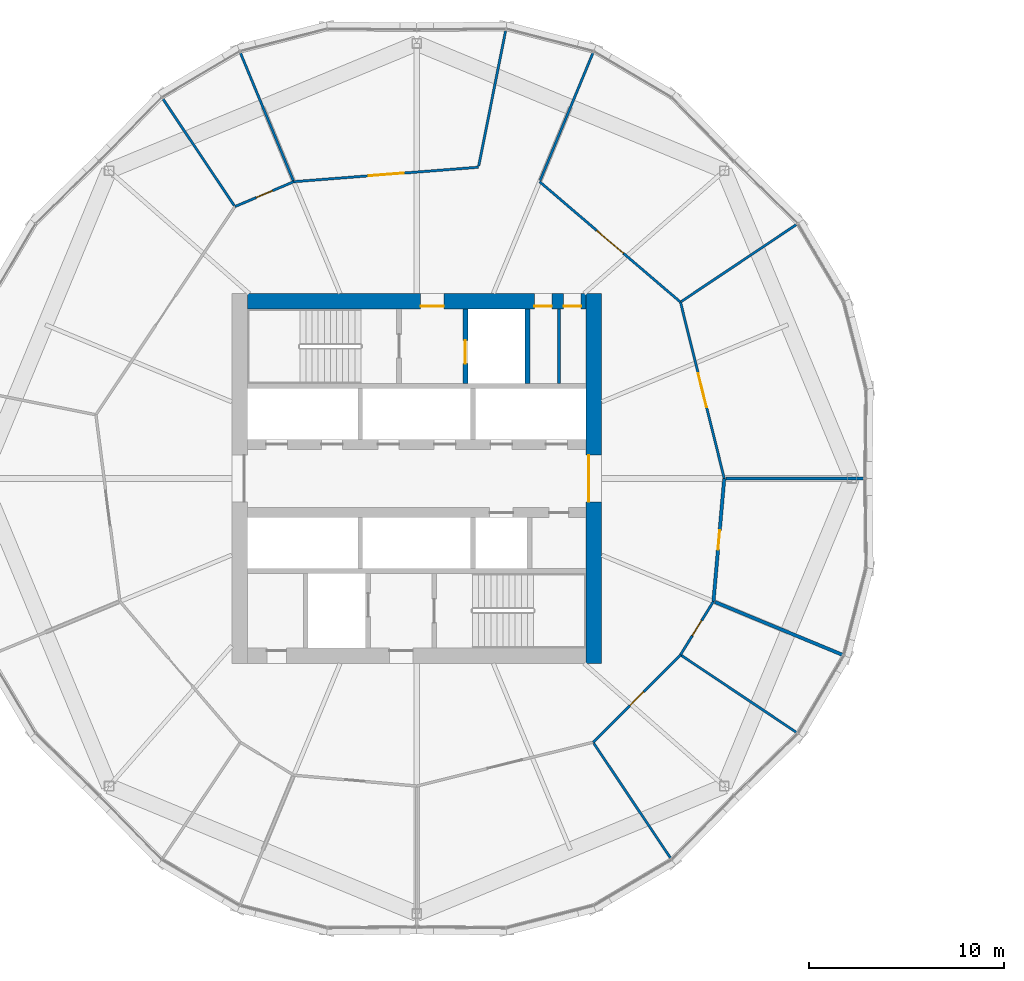
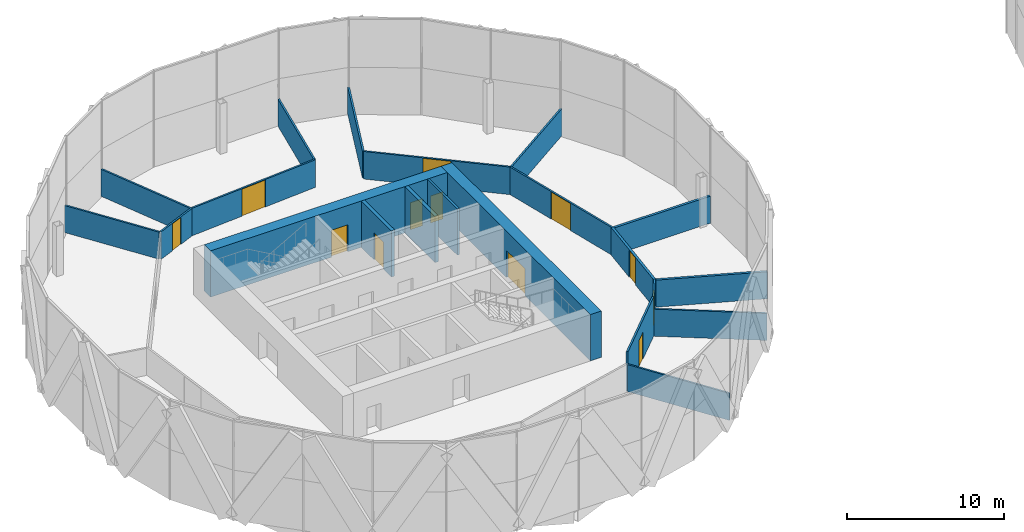
# One storey, part 20 of 27: 21 walls, 12 doors, 12 openings.
"""IFC4 building model written with IfcOpenShell, lengths in metres."""

from ifc_helpers import new_model, si_unit, direction, frame, frame_2d, origin, place, context, subcontext, project, spatial, rectangle, extrude, material, layer, layer_set, type_object, element, fill, save


model = new_model("IFC4")

# Units and contexts
model_context = context("Model", 3, precision=1e-05, world=origin(), true_north=direction((0.0, 1.0)))
body_context = subcontext(model_context, "Body", "Model", "MODEL_VIEW")
ifc_project = project(units=[si_unit("LENGTHUNIT", "METRE"), si_unit("AREAUNIT", "SQUARE_METRE"), si_unit("VOLUMEUNIT", "CUBIC_METRE"), si_unit("PLANEANGLEUNIT", "RADIAN"), si_unit("MASSUNIT", "GRAM", prefix="KILO")], contexts=[model_context])

# Site, building, storey
site_placement = place(None, origin())
site = spatial("IfcSite", under=ifc_project, at=site_placement, CompositionType="ELEMENT")
building_placement = place(site_placement, origin())
building = spatial("IfcBuilding", under=site, at=building_placement, Name="Ogive Gate Towers", CompositionType="ELEMENT")
storey_placement = place(building_placement, frame((0.0, 0.0, 123.0)))
storey = spatial("IfcBuildingStorey", under=building, at=storey_placement, Name="L29", CompositionType="ELEMENT", Elevation=123.0)

# Walls
ifc_material_1 = material(Name="Gypsum board acoustic partition")
ifc_layer_1 = layer(ifc_material_1, 0.175048828125)
ifc_layer_set_1 = layer_set([ifc_layer_1], Name="Acoustic partition 175")
wall_type_1 = type_object("IfcWallType", Name="Acoustic partition 175", PredefinedType="PARTITIONING", material=ifc_layer_set_1)
wall_1_placement = place(storey_placement, frame((-13.051025390625, 0.0, 0.0), z_axis=(0.0, 0.0, 1.0), x_axis=(-1.0, 0.0, 0.0)))
element("IfcWall", 1, at=wall_1_placement, inside=storey, type_object=wall_type_1, Name="Partition T1-L29-001", PredefinedType="PARTITIONING", context=body_context, shape_type="SweptSolid", body=[
    extrude(rectangle(XDim=7.0615234375, YDim=0.175048828125, at=frame_2d((3.53076171875, 0.0))), origin(), (0.0, 0.0, 1.0), 2.10009765625),
])
wall_2_placement = place(storey_placement, frame((-14.07421875, -9.081787109375, 0.0), z_axis=(0.0, 0.0, 1.0), x_axis=(-0.923889795791, 0.382658653676, 0.0)))
element("IfcWall", 2, at=wall_2_placement, inside=storey, type_object=wall_type_1, Name="Partition T1-L29-014", PredefinedType="PARTITIONING", context=body_context, shape_type="SweptSolid", body=[
    extrude(rectangle(XDim=7.143798828125, YDim=0.175048828125, at=frame_2d((3.57177734375, 0.0))), origin(), (0.0, 0.0, 1.0), 2.10009765625),
])

# Wall, opening, door
wall_3_placement = place(storey_placement, frame((-20.7548828125, -6.314697265625, 0.0), z_axis=(0.0, 0.0, 1.0), x_axis=(0.087541989851, 0.996160830395, 0.0)))
wall_3 = element("IfcWall", 3, at=wall_3_placement, inside=storey, type_object=wall_type_1, Name="Partition T1-L29-025", PredefinedType="PARTITIONING", context=body_context, shape_type="SweptSolid", body=[
    extrude(rectangle(XDim=6.339111328125, YDim=0.175048828125, at=frame_2d((3.16943359375, 0.0))), origin(), (0.0, 0.0, 1.0), 2.139892578125),
])
opening_1_placement = place(wall_3_placement, frame((2.6689453125, 0.0, 0.0)))
opening_1 = element("IfcOpeningElement", 4, at=opening_1_placement, cuts=wall_3, Name="Opening T1-L29-D11", PredefinedType="OPENING", context=body_context, shape_type="SweptSolid", body=[
    extrude(rectangle(XDim=1.0, YDim=2.10009765625, at=frame_2d((0.5, 1.050048828125))), frame((0.0, 0.09765625, 0.0), z_axis=(0.0, -1.0, 0.0), x_axis=(1.0, 0.0, 0.0)), (0.0, 0.0, 1.0), 0.195068359375),
])
ifc_material_2 = material(Name="Timber door", Category="wood")
door_type_1 = type_object("IfcDoorType", Name="Door 1000", OperationType="NOTDEFINED", PredefinedType="DOOR", material=ifc_material_2)
door_1_placement = place(opening_1_placement, origin())
door_1 = element("IfcDoor", 5, at=door_1_placement, inside=storey, type_object=door_type_1, Name="Door T1-L29-D11", OperationType="SINGLE_SWING_LEFT", OverallHeight=2.10009765625, OverallWidth=1.0, PredefinedType="DOOR", context=body_context, shape_type="SweptSolid", body=[
    extrude(rectangle(XDim=1.0, YDim=2.10009765625, at=frame_2d((0.5, 1.050048828125))), frame((0.0, 0.02490234375, 0.0), z_axis=(0.0, -1.0, 0.0), x_axis=(1.0, 0.0, 0.0)), (0.0, 0.0, 1.0), 0.050048828125),
])
fill(opening_1, door_1)

# Wall, openings, doors
ifc_material_3 = material(Name="Concrete C60/75", Category="concrete")
ifc_layer_2 = layer(ifc_material_3, 0.800048828125)
ifc_layer_set_2 = layer_set([ifc_layer_2], Name="Core wall 800 mm")
wall_type_2 = type_object("IfcWallType", Name="Core wall 800 mm", PredefinedType="SHEAR", material=ifc_layer_set_2)
wall_4_placement = place(storey_placement, frame((-44.699951171875, 9.10009765625, 0.0), z_axis=(0.0, 0.0, 1.0), x_axis=(1.0, 0.0, 0.0)))
wall_4 = element("IfcWall", 6, at=wall_4_placement, inside=storey, type_object=wall_type_2, Name="T1 L29 Core wall 800 mm", PredefinedType="SHEAR", context=body_context, shape_type="SweptSolid", body=[
    extrude(rectangle(XDim=17.39990234375, YDim=0.800048828125, at=frame_2d((8.699951171875, 0.0))), origin(), (0.0, 0.0, 1.0), 3.60009765625),
])
opening_2_placement = place(wall_4_placement, frame((8.89990234375, 0.0, 0.0)))
opening_2 = element("IfcOpeningElement", 7, at=opening_2_placement, cuts=wall_4, Name="Opening KD-T1-L29-15", PredefinedType="OPENING", context=body_context, shape_type="SweptSolid", body=[
    extrude(rectangle(XDim=1.199951171875, YDim=2.10009765625, at=frame_2d((0.60009765625, 1.050048828125))), frame((0.0, 0.41015625, 0.0), z_axis=(0.0, -1.0, 0.0), x_axis=(1.0, 0.0, 0.0)), (0.0, 0.0, 1.0), 0.820068359375),
])
opening_3_placement = place(wall_4_placement, frame((14.75, 0.0, 0.0)))
opening_3 = element("IfcOpeningElement", 8, at=opening_3_placement, cuts=wall_4, Name="Opening KD-T1-L29-17", PredefinedType="OPENING", context=body_context, shape_type="SweptSolid", body=[
    extrude(rectangle(XDim=0.89990234375, YDim=2.10009765625, at=frame_2d((0.449951171875, 1.050048828125))), frame((0.0, 0.41015625, 0.0), z_axis=(0.0, -1.0, 0.0), x_axis=(1.0, 0.0, 0.0)), (0.0, 0.0, 1.0), 0.820068359375),
])
opening_4_placement = place(wall_4_placement, frame((16.25, 0.0, 0.0)))
opening_4 = element("IfcOpeningElement", 9, at=opening_4_placement, cuts=wall_4, Name="Opening KD-T1-L29-18", PredefinedType="OPENING", context=body_context, shape_type="SweptSolid", body=[
    extrude(rectangle(XDim=0.89990234375, YDim=2.10009765625, at=frame_2d((0.449951171875, 1.050048828125))), frame((0.0, 0.41015625, 0.0), z_axis=(0.0, -1.0, 0.0), x_axis=(1.0, 0.0, 0.0)), (0.0, 0.0, 1.0), 0.820068359375),
])
door_type_2 = type_object("IfcDoorType", Name="Core WC door 900 x 2100", OperationType="NOTDEFINED", PredefinedType="DOOR", material=ifc_material_2)
door_2_placement = place(opening_3_placement, origin())
door_2 = element("IfcDoor", 10, at=door_2_placement, inside=storey, type_object=door_type_2, Name="T1 L29 Core door", OperationType="SINGLE_SWING_RIGHT", OverallHeight=2.10009765625, OverallWidth=0.89990234375, PredefinedType="DOOR", context=body_context, shape_type="SweptSolid", body=[
    extrude(rectangle(XDim=0.89990234375, YDim=2.10009765625, at=frame_2d((0.449951171875, 1.050048828125))), frame((0.0, -0.22509765625, 0.0), z_axis=(0.0, -1.0, 0.0), x_axis=(1.0, 0.0, 0.0)), (0.0, 0.0, 1.0), 0.050048828125),
])
fill(opening_3, door_2)
door_3_placement = place(opening_4_placement, origin())
door_3 = element("IfcDoor", 11, at=door_3_placement, inside=storey, type_object=door_type_2, Name="T1 L29 Core door", OperationType="SINGLE_SWING_LEFT", OverallHeight=2.10009765625, OverallWidth=0.89990234375, PredefinedType="DOOR", context=body_context, shape_type="SweptSolid", body=[
    extrude(rectangle(XDim=0.89990234375, YDim=2.10009765625, at=frame_2d((0.449951171875, 1.050048828125))), frame((0.0, -0.22509765625, 0.0), z_axis=(0.0, -1.0, 0.0), x_axis=(1.0, 0.0, 0.0)), (0.0, 0.0, 1.0), 0.050048828125),
])
fill(opening_4, door_3)
ifc_material_4 = material(Name="Steel fire door", Category="steel")
door_type_3 = type_object("IfcDoorType", Name="Core door FD60S 1200 x 2100", OperationType="NOTDEFINED", PredefinedType="DOOR", material=ifc_material_4)
door_4_placement = place(opening_2_placement, origin())
door_4 = element("IfcDoor", 12, at=door_4_placement, inside=storey, type_object=door_type_3, Name="T1 L29 Fire-fighting lobby door", OperationType="SINGLE_SWING_RIGHT", OverallHeight=2.10009765625, OverallWidth=1.199951171875, PredefinedType="DOOR", context=body_context, shape_type="SweptSolid", body=[
    extrude(rectangle(XDim=1.199951171875, YDim=2.10009765625, at=frame_2d((0.60009765625, 1.050048828125))), frame((0.0, -0.22509765625, 0.0), z_axis=(0.0, -1.0, 0.0), x_axis=(1.0, 0.0, 0.0)), (0.0, 0.0, 1.0), 0.050048828125),
])
fill(opening_2, door_4)

# Wall, opening, door
wall_5_placement = place(storey_placement, frame((-26.89990234375, -9.5, 0.0), z_axis=(0.0, 0.0, 1.0), x_axis=(0.0, 1.0, 0.0)))
wall_5 = element("IfcWall", 13, at=wall_5_placement, inside=storey, type_object=wall_type_2, Name="T1 L29 Core wall 800 mm", PredefinedType="SHEAR", context=body_context, shape_type="SweptSolid", body=[
    extrude(rectangle(XDim=19.0, YDim=0.800048828125, at=frame_2d((9.5, 0.0))), origin(), (0.0, 0.0, 1.0), 3.60009765625),
])
opening_5_placement = place(wall_5_placement, frame((8.300048828125, 0.0, 0.0)))
opening_5 = element("IfcOpeningElement", 14, at=opening_5_placement, cuts=wall_5, Name="Opening KD-T1-L29-02", PredefinedType="OPENING", context=body_context, shape_type="SweptSolid", body=[
    extrude(rectangle(XDim=2.39990234375, YDim=2.10009765625, at=frame_2d((1.199951171875, 1.050048828125))), frame((0.0, 0.41015625, 0.0), z_axis=(0.0, -1.0, 0.0), x_axis=(1.0, 0.0, 0.0)), (0.0, 0.0, 1.0), 0.820068359375),
])
door_type_4 = type_object("IfcDoorType", Name="Core double door FD60S 2400 x 2100", OperationType="DOUBLE_DOOR_SINGLE_SWING", PredefinedType="DOOR", material=ifc_material_4)
door_5_placement = place(opening_5_placement, origin())
door_5 = element("IfcDoor", 15, at=door_5_placement, inside=storey, type_object=door_type_4, Name="T1 L29 Core door double", OperationType="DOUBLE_DOOR_SINGLE_SWING", OverallHeight=2.10009765625, OverallWidth=2.39990234375, PredefinedType="DOOR", context=body_context, shape_type="SweptSolid", body=[
    extrude(rectangle(XDim=2.39990234375, YDim=2.10009765625, at=frame_2d((1.199951171875, 1.050048828125))), frame((0.0, 0.27490234375, 0.0), z_axis=(0.0, -1.0, 0.0), x_axis=(1.0, 0.0, 0.0)), (0.0, 0.0, 1.0), 0.050048828125),
])
fill(opening_5, door_5)

# Walls
ifc_material_5 = material(Name="Gypsum board partition")
ifc_layer_3 = layer(ifc_material_5, 0.125)
ifc_layer_set_3 = layer_set([ifc_layer_3], Name="Partition 125")
wall_type_3 = type_object("IfcWallType", Name="Partition 125", PredefinedType="PARTITIONING", material=ifc_layer_set_3)
wall_6_placement = place(storey_placement, frame((-16.400390625, 13.105224609375, 0.0), z_axis=(0.0, 0.0, 1.0), x_axis=(-0.831294617864, -0.555832041458, 0.0)))
element("IfcWall", 16, at=wall_6_placement, inside=storey, type_object=wall_type_3, Name="Partition T1-L29-002", PredefinedType="PARTITIONING", context=body_context, shape_type="SweptSolid", body=[
    extrude(rectangle(XDim=7.21435546875, YDim=0.125, at=frame_2d((3.607177734375, 0.0))), origin(), (0.0, 0.0, 1.0), 2.10009765625),
])
wall_7_placement = place(storey_placement, frame((-26.918212890625, 21.92578125, 0.0), z_axis=(0.0, 0.0, 1.0), x_axis=(-0.382660597828, -0.923888990556, 0.0)))
element("IfcWall", 17, at=wall_7_placement, inside=storey, type_object=wall_type_3, Name="Partition T1-L29-003", PredefinedType="PARTITIONING", context=body_context, shape_type="SweptSolid", body=[
    extrude(rectangle(XDim=7.168701171875, YDim=0.125, at=frame_2d((3.58447265625, 0.0))), origin(), (0.0, 0.0, 1.0), 2.10009765625),
])
wall_8_placement = place(storey_placement, frame((-31.4326171875, 23.00048828125, 0.0), z_axis=(0.0, 0.0, 1.0), x_axis=(-0.194790884081, -0.980844794796, 0.0)))
element("IfcWall", 18, at=wall_8_placement, inside=storey, type_object=wall_type_3, Name="Partition T1-L29-004", PredefinedType="PARTITIONING", context=body_context, shape_type="SweptSolid", body=[
    extrude(rectangle(XDim=7.08642578125, YDim=0.125, at=frame_2d((3.543212890625, 0.0))), origin(), (0.0, 0.0, 1.0), 2.10009765625),
])
wall_9_placement = place(storey_placement, frame((-45.081787109375, 21.92578125, 0.0), z_axis=(0.0, 0.0, 1.0), x_axis=(0.382660597828, -0.923888990556, 0.0)))
element("IfcWall", 19, at=wall_9_placement, inside=storey, type_object=wall_type_3, Name="Partition T1-L29-005", PredefinedType="PARTITIONING", context=body_context, shape_type="SweptSolid", body=[
    extrude(rectangle(XDim=7.168701171875, YDim=0.125, at=frame_2d((3.58447265625, 0.0))), origin(), (0.0, 0.0, 1.0), 2.10009765625),
])
wall_10_placement = place(storey_placement, frame((-49.105224609375, 19.599609375, 0.0), z_axis=(0.0, 0.0, 1.0), x_axis=(0.555824103664, -0.831299925289, 0.0)))
element("IfcWall", 20, at=wall_10_placement, inside=storey, type_object=wall_type_3, Name="Partition T1-L29-006", PredefinedType="PARTITIONING", context=body_context, shape_type="SweptSolid", body=[
    extrude(rectangle(XDim=6.71435546875, YDim=0.125, at=frame_2d((3.357177734375, 0.0))), origin(), (0.0, 0.0, 1.0), 2.10009765625),
])
for number, where, z_axis, x_axis, name in (
    (21, (-22.894775390625, -19.599609375, 0.0), (0.0, 0.0, 1.0), (-0.555832041458, 0.831294617864, 0.0), "Partition T1-L29-012"),
    (22, (-16.400390625, -13.105224609375, 0.0), (0.0, 0.0, 1.0), (-0.831294617864, 0.555832041458, 0.0), "Partition T1-L29-013"),
):
    element("IfcWall", number, at=place(storey_placement, frame(where, z_axis=z_axis, x_axis=x_axis)), inside=storey, type_object=wall_type_3, Name=name, PredefinedType="PARTITIONING", context=body_context, shape_type="SweptSolid", body=[
        extrude(rectangle(XDim=7.21435546875, YDim=0.125, at=frame_2d((3.607177734375, 0.0))), origin(), (0.0, 0.0, 1.0), 2.10009765625),
    ])

# Wall, opening, door
wall_11_placement = place(storey_placement, frame((-32.8251953125, 15.98828125, 0.0), z_axis=(0.0, 0.0, 1.0), x_axis=(-0.996947466287, -0.078075280748, 0.0)))
wall_11 = element("IfcWall", 23, at=wall_11_placement, inside=storey, type_object=wall_type_3, Name="Partition T1-L29-015", PredefinedType="PARTITIONING", context=body_context, shape_type="SweptSolid", body=[
    extrude(rectangle(XDim=9.5185546875, YDim=0.125, at=frame_2d((4.75927734375, 0.0))), origin(), (0.0, 0.0, 1.0), 2.139892578125),
])
opening_6_placement = place(wall_11_placement, frame((3.85888671875, 0.0, 0.0)))
opening_6 = element("IfcOpeningElement", 24, at=opening_6_placement, cuts=wall_11, Name="Opening T1-L29-D01", PredefinedType="OPENING", context=body_context, shape_type="SweptSolid", body=[
    extrude(rectangle(XDim=1.800048828125, YDim=2.10009765625, at=frame_2d((0.89990234375, 1.050048828125))), frame((0.0, 0.072509765625, 0.0), z_axis=(0.0, -1.0, 0.0), x_axis=(1.0, 0.0, 0.0)), (0.0, 0.0, 1.0), 0.14501953125),
])
door_type_5 = type_object("IfcDoorType", Name="Door pair 1800", OperationType="NOTDEFINED", PredefinedType="DOOR", material=ifc_material_2)
door_6_placement = place(opening_6_placement, origin())
door_6 = element("IfcDoor", 25, at=door_6_placement, inside=storey, type_object=door_type_5, Name="Door T1-L29-D01", OperationType="DOUBLE_DOOR_DOUBLE_SWING", OverallHeight=2.10009765625, OverallWidth=1.800048828125, PredefinedType="DOOR", context=body_context, shape_type="SweptSolid", body=[
    extrude(rectangle(XDim=1.800048828125, YDim=2.10009765625, at=frame_2d((0.89990234375, 1.050048828125))), frame((0.0, 0.02490234375, 0.0), z_axis=(0.0, -1.0, 0.0), x_axis=(1.0, 0.0, 0.0)), (0.0, 0.0, 1.0), 0.050048828125),
])
fill(opening_6, door_6)

wall_12_placement = place(storey_placement, frame((-42.314697265625, 15.2451171875, 0.0), z_axis=(0.0, 0.0, 1.0), x_axis=(-0.920988802871, -0.389589046285, 0.0)))
wall_12 = element("IfcWall", 26, at=wall_12_placement, inside=storey, type_object=wall_type_3, Name="Partition T1-L29-016", PredefinedType="PARTITIONING", context=body_context, shape_type="SweptSolid", body=[
    extrude(rectangle(XDim=3.283203125, YDim=0.125, at=frame_2d((1.6416015625, 0.0))), origin(), (0.0, 0.0, 1.0), 2.139892578125),
])
opening_7_placement = place(wall_12_placement, frame((1.19189453125, 0.0, 0.0)))
opening_7 = element("IfcOpeningElement", 27, at=opening_7_placement, cuts=wall_12, Name="Opening T1-L29-D02", PredefinedType="OPENING", context=body_context, shape_type="SweptSolid", body=[
    extrude(rectangle(XDim=0.89990234375, YDim=2.10009765625, at=frame_2d((0.449951171875, 1.050048828125))), frame((0.0, 0.072509765625, 0.0), z_axis=(0.0, -1.0, 0.0), x_axis=(1.0, 0.0, 0.0)), (0.0, 0.0, 1.0), 0.14501953125),
])
door_type_6 = type_object("IfcDoorType", Name="Door 900", OperationType="NOTDEFINED", PredefinedType="DOOR", material=ifc_material_2)
door_7_placement = place(opening_7_placement, origin())
door_7 = element("IfcDoor", 28, at=door_7_placement, inside=storey, type_object=door_type_6, Name="Door T1-L29-D02", OperationType="SINGLE_SWING_LEFT", OverallHeight=2.10009765625, OverallWidth=0.89990234375, PredefinedType="DOOR", context=body_context, shape_type="SweptSolid", body=[
    extrude(rectangle(XDim=0.89990234375, YDim=2.10009765625, at=frame_2d((0.449951171875, 1.050048828125))), frame((0.0, 0.02490234375, 0.0), z_axis=(0.0, -1.0, 0.0), x_axis=(1.0, 0.0, 0.0)), (0.0, 0.0, 1.0), 0.050048828125),
])
fill(opening_7, door_7)

wall_13_placement = place(storey_placement, frame((-26.939453125, -13.550537109375, 0.0), z_axis=(0.0, 0.0, 1.0), x_axis=(0.707106781187, 0.707106781187, 0.0)))
wall_13 = element("IfcWall", 29, at=wall_13_placement, inside=storey, type_object=wall_type_3, Name="Partition T1-L29-023", PredefinedType="PARTITIONING", context=body_context, shape_type="SweptSolid", body=[
    extrude(rectangle(XDim=6.349853515625, YDim=0.125, at=frame_2d((3.1748046875, 0.0))), origin(), (0.0, 0.0, 1.0), 3.050048828125),
])
opening_8_placement = place(wall_13_placement, frame((2.675048828125, 0.0, 0.0)))
opening_8 = element("IfcOpeningElement", 30, at=opening_8_placement, cuts=wall_13, Name="Opening T1-L29-D09", PredefinedType="OPENING", context=body_context, shape_type="SweptSolid", body=[
    extrude(rectangle(XDim=1.0, YDim=2.10009765625, at=frame_2d((0.5, 1.050048828125))), frame((0.0, 0.072509765625, 0.0), z_axis=(0.0, -1.0, 0.0), x_axis=(1.0, 0.0, 0.0)), (0.0, 0.0, 1.0), 0.14501953125),
])
door_8_placement = place(opening_8_placement, origin())
door_8 = element("IfcDoor", 31, at=door_8_placement, inside=storey, type_object=door_type_1, Name="Door T1-L29-D09", OperationType="SINGLE_SWING_LEFT", OverallHeight=2.10009765625, OverallWidth=1.0, PredefinedType="DOOR", context=body_context, shape_type="SweptSolid", body=[
    extrude(rectangle(XDim=1.0, YDim=2.10009765625, at=frame_2d((0.5, 1.050048828125))), frame((0.0, 0.02490234375, 0.0), z_axis=(0.0, -1.0, 0.0), x_axis=(1.0, 0.0, 0.0)), (0.0, 0.0, 1.0), 0.050048828125),
])
fill(opening_8, door_8)

wall_14_placement = place(storey_placement, frame((-22.449462890625, -9.060546875, 0.0), z_axis=(0.0, 0.0, 1.0), x_axis=(0.525181946831, 0.850989966288, 0.0)))
wall_14 = element("IfcWall", 32, at=wall_14_placement, inside=storey, type_object=wall_type_3, Name="Partition T1-L29-024", PredefinedType="PARTITIONING", context=body_context, shape_type="SweptSolid", body=[
    extrude(rectangle(XDim=3.2265625, YDim=0.125, at=frame_2d((1.61328125, 0.0))), origin(), (0.0, 0.0, 1.0), 2.139892578125),
])
opening_9_placement = place(wall_14_placement, frame((1.1630859375, 0.0, 0.0)))
opening_9 = element("IfcOpeningElement", 33, at=opening_9_placement, cuts=wall_14, Name="Opening T1-L29-D10", PredefinedType="OPENING", context=body_context, shape_type="SweptSolid", body=[
    extrude(rectangle(XDim=0.89990234375, YDim=2.10009765625, at=frame_2d((0.449951171875, 1.050048828125))), frame((0.0, 0.072509765625, 0.0), z_axis=(0.0, -1.0, 0.0), x_axis=(1.0, 0.0, 0.0)), (0.0, 0.0, 1.0), 0.14501953125),
])
door_9_placement = place(opening_9_placement, origin())
door_9 = element("IfcDoor", 34, at=door_9_placement, inside=storey, type_object=door_type_6, Name="Door T1-L29-D10", OperationType="SINGLE_SWING_LEFT", OverallHeight=2.10009765625, OverallWidth=0.89990234375, PredefinedType="DOOR", context=body_context, shape_type="SweptSolid", body=[
    extrude(rectangle(XDim=0.89990234375, YDim=2.10009765625, at=frame_2d((0.449951171875, 1.050048828125))), frame((0.0, 0.02490234375, 0.0), z_axis=(0.0, -1.0, 0.0), x_axis=(1.0, 0.0, 0.0)), (0.0, 0.0, 1.0), 0.050048828125),
])
fill(opening_9, door_9)

wall_15_placement = place(storey_placement, frame((-20.199951171875, 0.0, 0.0), z_axis=(0.0, 0.0, 1.0), x_axis=(-0.240960061106, 0.970535032316, 0.0)))
wall_15 = element("IfcWall", 35, at=wall_15_placement, inside=storey, type_object=wall_type_3, Name="Partition T1-L29-026", PredefinedType="PARTITIONING", context=body_context, shape_type="SweptSolid", body=[
    extrude(rectangle(XDim=9.335693359375, YDim=0.125, at=frame_2d((4.66796875, 0.0))), origin(), (0.0, 0.0, 1.0), 2.139892578125),
])
opening_10_placement = place(wall_15_placement, frame((3.76806640625, 0.0, 0.0)))
opening_10 = element("IfcOpeningElement", 36, at=opening_10_placement, cuts=wall_15, Name="Opening T1-L29-D12", PredefinedType="OPENING", context=body_context, shape_type="SweptSolid", body=[
    extrude(rectangle(XDim=1.800048828125, YDim=2.10009765625, at=frame_2d((0.89990234375, 1.050048828125))), frame((0.0, 0.072509765625, 0.0), z_axis=(0.0, -1.0, 0.0), x_axis=(1.0, 0.0, 0.0)), (0.0, 0.0, 1.0), 0.14501953125),
])
door_10_placement = place(opening_10_placement, origin())
door_10 = element("IfcDoor", 37, at=door_10_placement, inside=storey, type_object=door_type_5, Name="Door T1-L29-D12", OperationType="DOUBLE_DOOR_DOUBLE_SWING", OverallHeight=2.10009765625, OverallWidth=1.800048828125, PredefinedType="DOOR", context=body_context, shape_type="SweptSolid", body=[
    extrude(rectangle(XDim=1.800048828125, YDim=2.10009765625, at=frame_2d((0.89990234375, 1.050048828125))), frame((0.0, 0.02490234375, 0.0), z_axis=(0.0, -1.0, 0.0), x_axis=(1.0, 0.0, 0.0)), (0.0, 0.0, 1.0), 0.050048828125),
])
fill(opening_10, door_10)

wall_16_placement = place(storey_placement, frame((-22.449462890625, 9.060546875, 0.0), z_axis=(0.0, 0.0, 1.0), x_axis=(-0.760168336867, 0.649726172802, 0.0)))
wall_16 = element("IfcWall", 38, at=wall_16_placement, inside=storey, type_object=wall_type_3, Name="Partition T1-L29-027", PredefinedType="PARTITIONING", context=body_context, shape_type="SweptSolid", body=[
    extrude(rectangle(XDim=9.518798828125, YDim=0.125, at=frame_2d((4.75927734375, 0.0))), origin(), (0.0, 0.0, 1.0), 2.139892578125),
])
opening_11_placement = place(wall_16_placement, frame((3.85888671875, 0.0, 0.0)))
opening_11 = element("IfcOpeningElement", 39, at=opening_11_placement, cuts=wall_16, Name="Opening T1-L29-D13", PredefinedType="OPENING", context=body_context, shape_type="SweptSolid", body=[
    extrude(rectangle(XDim=1.800048828125, YDim=2.10009765625, at=frame_2d((0.89990234375, 1.050048828125))), frame((0.0, 0.072509765625, 0.0), z_axis=(0.0, -1.0, 0.0), x_axis=(1.0, 0.0, 0.0)), (0.0, 0.0, 1.0), 0.14501953125),
])
door_11_placement = place(opening_11_placement, origin())
door_11 = element("IfcDoor", 40, at=door_11_placement, inside=storey, type_object=door_type_5, Name="Door T1-L29-D13", OperationType="DOUBLE_DOOR_DOUBLE_SWING", OverallHeight=2.10009765625, OverallWidth=1.800048828125, PredefinedType="DOOR", context=body_context, shape_type="SweptSolid", body=[
    extrude(rectangle(XDim=1.800048828125, YDim=2.10009765625, at=frame_2d((0.89990234375, 1.050048828125))), frame((0.0, 0.02490234375, 0.0), z_axis=(0.0, -1.0, 0.0), x_axis=(1.0, 0.0, 0.0)), (0.0, 0.0, 1.0), 0.050048828125),
])
fill(opening_11, door_11)

# Wall
ifc_layer_4 = layer(ifc_material_5, 0.14990234375)
ifc_layer_set_4 = layer_set([ifc_layer_4], Name="Room partition 150 mm")
wall_type_4 = type_object("IfcWallType", Name="Room partition 150 mm", PredefinedType="PARTITIONING", material=ifc_layer_set_4)
wall_17_placement = place(storey_placement, frame((-28.699951171875, 4.875, 0.0), z_axis=(0.0, 0.0, 1.0), x_axis=(0.0, 1.0, 0.0)))
element("IfcWall", 41, at=wall_17_placement, inside=storey, type_object=wall_type_4, Name="T1 L29 Room partition 150 mm", PredefinedType="PARTITIONING", context=body_context, shape_type="SweptSolid", body=[
    extrude(rectangle(XDim=3.824951171875, YDim=0.14990234375, at=frame_2d((1.91259765625, 0.0))), origin(), (0.0, 0.0, 1.0), 3.60009765625),
])

# Wall, opening, door
ifc_layer_5 = layer(ifc_material_3, 0.25)
ifc_layer_set_5 = layer_set([ifc_layer_5], Name="Shaft wall 250 mm")
wall_type_5 = type_object("IfcWallType", Name="Shaft wall 250 mm", PredefinedType="SHEAR", material=ifc_layer_set_5)
wall_18_placement = place(storey_placement, frame((-33.5, 4.875, 0.0), z_axis=(0.0, 0.0, 1.0), x_axis=(0.0, 1.0, 0.0)))
wall_18 = element("IfcWall", 42, at=wall_18_placement, inside=storey, type_object=wall_type_5, Name="T1 L29 Shaft wall 250 mm", PredefinedType="SHEAR", context=body_context, shape_type="SweptSolid", body=[
    extrude(rectangle(XDim=3.824951171875, YDim=0.25, at=frame_2d((1.91259765625, 0.0))), origin(), (0.0, 0.0, 1.0), 3.60009765625),
])
opening_12_placement = place(wall_18_placement, frame((1.02490234375, 0.0, 0.0)))
opening_12 = element("IfcOpeningElement", 43, at=opening_12_placement, cuts=wall_18, Name="Opening LD-T1-L29-10", PredefinedType="OPENING", context=body_context, shape_type="SweptSolid", body=[
    extrude(rectangle(XDim=1.199951171875, YDim=2.10009765625, at=frame_2d((0.60009765625, 1.050048828125))), frame((0.0, 0.135009765625, 0.0), z_axis=(0.0, -1.0, 0.0), x_axis=(1.0, 0.0, 0.0)), (0.0, 0.0, 1.0), 0.27001953125),
])
ifc_material_6 = material(Name="Stainless steel landing door", Category="steel")
door_type_7 = type_object("IfcDoorType", Name="Landing door 1200 x 2100", OperationType="SLIDING_TO_LEFT", PredefinedType="DOOR", material=ifc_material_6)
door_12_placement = place(opening_12_placement, origin())
door_12 = element("IfcDoor", 44, at=door_12_placement, inside=storey, type_object=door_type_7, Name="T1 L29 Lift landing door FF1", OperationType="SLIDING_TO_LEFT", OverallHeight=2.10009765625, OverallWidth=1.199951171875, PredefinedType="DOOR", context=body_context, shape_type="SweptSolid", body=[
    extrude(rectangle(XDim=1.199951171875, YDim=2.10009765625, at=frame_2d((0.60009765625, 1.050048828125))), frame((0.0, 0.02490234375, 0.0), z_axis=(0.0, -1.0, 0.0), x_axis=(1.0, 0.0, 0.0)), (0.0, 0.0, 1.0), 0.050048828125),
])
fill(opening_12, door_12)

# Wall
wall_19_placement = place(storey_placement, frame((-30.300048828125, 4.875, 0.0), z_axis=(0.0, 0.0, 1.0), x_axis=(0.0, 1.0, 0.0)))
element("IfcWall", 45, at=wall_19_placement, inside=storey, type_object=wall_type_5, Name="T1 L29 Shaft wall 250 mm", PredefinedType="SHEAR", context=body_context, shape_type="SweptSolid", body=[
    extrude(rectangle(XDim=3.824951171875, YDim=0.25, at=frame_2d((1.91259765625, 0.0))), origin(), (0.0, 0.0, 1.0), 3.60009765625),
])

save(model, "model.ifc")
